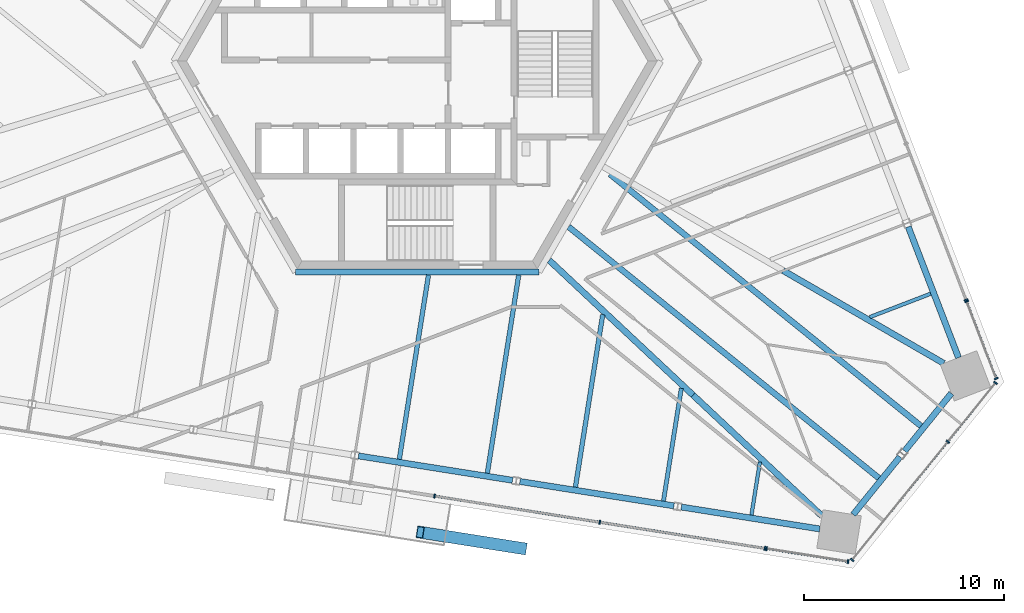
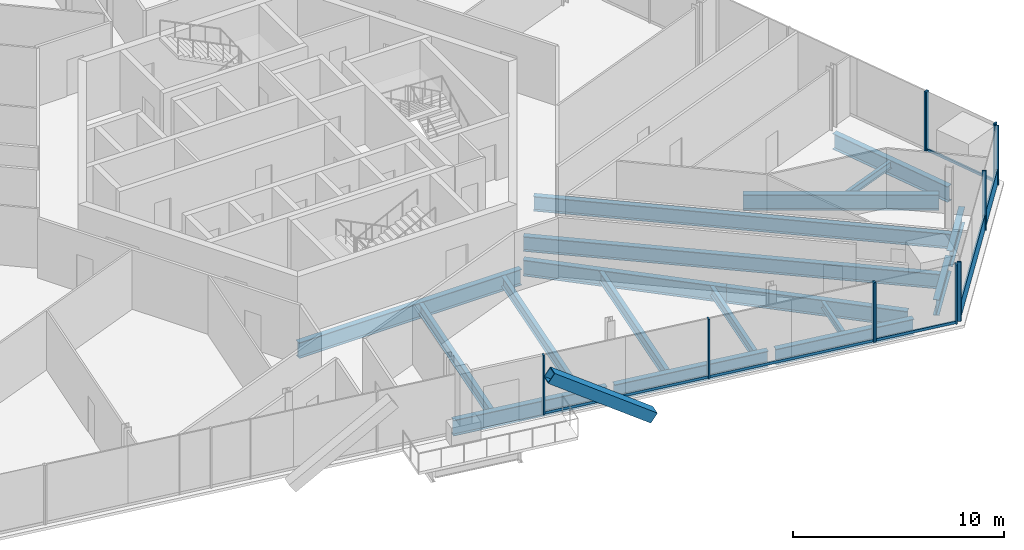
# One storey, part 6 of 19: 18 beams, 18 members, 5 elements without a shape of their own.
"""IFC4 building model written with IfcOpenShell, lengths in metres."""

from ifc_helpers import new_model, si_unit, direction, frame, origin, origin_2d, place, context, subcontext, project, spatial, rectangle, hollow_rectangle, i_section, extrude, source, transform, mapped, material, material_profile, profile_set, type_object, element, aggregate, save


model = new_model("IFC4")

# Units and contexts
model_context = context("Model", 3, precision=1e-05, world=origin(), true_north=direction((0.0, 1.0)))
body_context = subcontext(model_context, "Body", "Model", "MODEL_VIEW")
ifc_project = project(units=[si_unit("LENGTHUNIT", "METRE"), si_unit("AREAUNIT", "SQUARE_METRE"), si_unit("VOLUMEUNIT", "CUBIC_METRE"), si_unit("PLANEANGLEUNIT", "RADIAN"), si_unit("MASSUNIT", "GRAM", prefix="KILO")], contexts=[model_context])

# Site, building, storey
site_placement = place(None, origin())
site = spatial("IfcSite", under=ifc_project, at=site_placement, CompositionType="ELEMENT")
building_placement = place(site_placement, origin())
building = spatial("IfcBuilding", under=site, at=building_placement, Name="Triune Harvest Tower", CompositionType="ELEMENT")
storey_placement = place(building_placement, frame((0.0, 0.0, 149.699951171875)))
storey = spatial("IfcBuildingStorey", under=building, at=storey_placement, Name="L38", CompositionType="ELEMENT", Elevation=149.699951171875)

# Curtain wall, member
ifc_material_1 = material(Name="Aluminium bronze anodised", Category="aluminium")
curtain_wall_type_1 = type_object("IfcCurtainWallType", Name="CW-6 Balcony window wall", PredefinedType="NOTDEFINED", material=ifc_material_1)
curtain_wall_1_placement = place(storey_placement, origin())
curtain_wall_1 = element("IfcCurtainWall", 1, at=curtain_wall_1_placement, inside=storey, type_object=curtain_wall_type_1, Name="CW-6 B4-F1 L38 run 1")
ifc_material_2 = material(Name="Aluminium bronze anodised", Category="aluminium")
ifc_material_profile_1 = material_profile(ifc_material_2, rectangle(XDim=0.090087890625, YDim=0.14990234375, at=origin_2d()), Name="TR-6 transom 90 x 150")
ifc_profile_set_1 = profile_set([ifc_material_profile_1], Name="Aluminium bronze anodised")
member_type_1 = type_object("IfcMemberType", Name="TR-6 transom 90 x 150", PredefinedType="USERDEFINED", material=ifc_profile_set_1)
member_1_placement = place(storey_placement, frame((28.94970703125, -15.839111328125, 0.074951171875), z_axis=(-0.358382052033, 0.933575012937, 0.0), x_axis=(-0.933575012937, -0.358382052033, 0.0)))
member_1 = element("IfcMember", 2, at=member_1_placement, type_object=member_type_1, Name="CW-6 transom B4-F1 1.1", ObjectType="TRANSOM", PredefinedType="USERDEFINED", context=body_context, shape_type="SweptSolid", body=[
    extrude(rectangle(XDim=0.090087890625, YDim=0.14990234375, at=origin_2d()), origin(), (0.0, 0.0, 1.0), 4.05615234375),
])

curtain_wall_2_placement = place(storey_placement, origin())
curtain_wall_2 = element("IfcCurtainWall", 3, at=curtain_wall_2_placement, inside=storey, type_object=curtain_wall_type_1, Name="CW-6 B4-F5 L38 run 1002")
member_2_placement = place(storey_placement, frame((17.5087890625, -24.389892578125, 0.074951171875), z_axis=(0.987688616713, -0.156432721693, 0.0), x_axis=(0.156432721693, 0.987688616713, 0.0)))
member_2 = element("IfcMember", 4, at=member_2_placement, type_object=member_type_1, Name="CW-6 transom B4-F5 1002.1", ObjectType="TRANSOM", PredefinedType="USERDEFINED", context=body_context, shape_type="SweptSolid", body=[
    extrude(rectangle(XDim=0.090087890625, YDim=0.14990234375, at=origin_2d()), origin(), (0.0, 0.0, 1.0), 4.052978515625),
])

# Beams
ifc_material_3 = material(Name="Steel ASTM A992 Gr 50", Category="steel")
ifc_material_profile_2 = material_profile(ifc_material_3, i_section(OverallWidth=0.3046875, OverallDepth=0.914306640625, WebThickness=0.0166015625, FlangeThickness=0.02587890625, at=origin_2d()), Name="W36x160")
ifc_profile_set_2 = profile_set([ifc_material_profile_2], Name="Steel ASTM A992 Gr 50")
beam_type_1 = type_object("IfcBeamType", Name="CG-1 Core ring girder W36x160", PredefinedType="BEAM", material=ifc_profile_set_2)
shared_shape_1 = source(origin(), body_context, "Body", "SweptSolid", [
    extrude(i_section(OverallWidth=0.3046875, OverallDepth=0.914306640625, WebThickness=0.0166015625, FlangeThickness=0.02587890625, at=origin_2d()), origin(), (0.0, 0.0, 1.0), 12.17578125),
])
beam_1_placement = place(storey_placement, frame((-6.087890625, -10.544677734375, -0.6171875), z_axis=(1.0, 0.0, 0.0), x_axis=(0.0, 1.0, 0.0)))
element("IfcBeam", 5, at=beam_1_placement, inside=storey, type_object=beam_type_1, Name="beam/L38/CG5", PredefinedType="BEAM", context=body_context, shape_type="MappedRepresentation", body=[
    mapped(shared_shape_1, transform((0.0, 0.0, 0.0), scale=1.0)),
])
ifc_material_4 = material(Name="Steel ASTM A992 Gr 50", Category="steel")
ifc_material_profile_3 = material_profile(ifc_material_4, i_section(OverallWidth=0.307373046875, OverallDepth=0.922119140625, WebThickness=0.018310546875, FlangeThickness=0.030029296875, at=origin_2d()), Name="W36x182")
ifc_profile_set_3 = profile_set([ifc_material_profile_3], Name="Steel ASTM A992 Gr 50")
beam_type_2 = type_object("IfcBeamType", Name="HG-2 Hip girder W36x182", PredefinedType="BEAM", material=ifc_profile_set_3)
shared_shape_2 = source(origin(), body_context, "Body", "SweptSolid", [
    extrude(i_section(OverallWidth=0.307373046875, OverallDepth=0.922119140625, WebThickness=0.018310546875, FlangeThickness=0.030029296875, at=origin_2d()), origin(), (0.0, 0.0, 1.0), 9.85888671875),
])
beam_2_placement = place(storey_placement, frame((13.794189453125, -16.702392578125, -0.620849609375), z_axis=(-0.729486233367, 0.683995493646, 0.0), x_axis=(-0.683995493646, -0.729486233367, 0.0)))
element("IfcBeam", 6, at=beam_2_placement, inside=storey, type_object=beam_type_2, Name="beam/L38/HG8", PredefinedType="BEAM", context=body_context, shape_type="MappedRepresentation", body=[
    mapped(shared_shape_2, transform((0.0, 0.0, 0.0), scale=1.0)),
])
ifc_material_5 = material(Name="Steel ASTM A992 Gr 50", Category="steel")
ifc_material_profile_4 = material_profile(ifc_material_5, i_section(OverallWidth=0.3046875, OverallDepth=0.914306640625, WebThickness=0.0166015625, FlangeThickness=0.02587890625, at=origin_2d()), Name="W36x160")
ifc_profile_set_4 = profile_set([ifc_material_profile_4], Name="Steel ASTM A992 Gr 50")
beam_type_3 = type_object("IfcBeamType", Name="SB-1 Spandrel beam W36x160", PredefinedType="SPANDREL", material=ifc_profile_set_4)
shared_shape_3 = source(origin(), body_context, "Body", "SweptSolid", [
    extrude(i_section(OverallWidth=0.3046875, OverallDepth=0.914306640625, WebThickness=0.0166015625, FlangeThickness=0.02587890625, at=origin_2d()), origin(), (0.0, 0.0, 1.0), 7.013427734375),
])
for number, where, z_axis, x_axis, name in (
    (7, (27.07568359375, -14.832275390625, -0.6171875), (-0.358372513984, 0.93357867436, 0.0), (-0.93357867436, -0.358372513984, 0.0), "beam/L38/SB1"),
    (8, (13.210205078125, -22.302978515625, -0.6171875), (0.987687489289, -0.156439839878, 0.0), (0.156439839878, 0.987687489289, 0.0), "beam/L38/SB22"),
):
    element("IfcBeam", number, at=place(storey_placement, frame(where, z_axis=z_axis, x_axis=x_axis)), inside=storey, type_object=beam_type_3, Name=name, PredefinedType="SPANDREL", context=body_context, shape_type="MappedRepresentation", body=[
        mapped(shared_shape_3, transform((0.0, 0.0, 0.0), scale=1.0)),
    ])
shared_shape_4 = source(origin(), body_context, "Body", "SweptSolid", [
    extrude(i_section(OverallWidth=0.3046875, OverallDepth=0.914306640625, WebThickness=0.0166015625, FlangeThickness=0.02587890625, at=origin_2d()), origin(), (0.0, 0.0, 1.0), 3.71240234375),
])
beam_3_placement = place(storey_placement, frame((21.808837890625, -22.677734375, -0.6171875), z_axis=(0.629351453127, 0.777120806855, 0.0), x_axis=(-0.777120806855, 0.629351453127, 0.0)))
element("IfcBeam", 9, at=beam_3_placement, inside=storey, type_object=beam_type_3, Name="beam/L38/SB23", PredefinedType="SPANDREL", context=body_context, shape_type="MappedRepresentation", body=[
    mapped(shared_shape_4, transform((0.0, 0.0, 0.0), scale=1.0)),
])
shared_shape_5 = source(origin(), body_context, "Body", "SweptSolid", [
    extrude(i_section(OverallWidth=0.3046875, OverallDepth=0.914306640625, WebThickness=0.0166015625, FlangeThickness=0.02587890625, at=origin_2d()), origin(), (0.0, 0.0, 1.0), 7.801513671875),
])
beam_4_placement = place(storey_placement, frame((5.135986328125, -21.024169921875, -0.6171875), z_axis=(0.98768800071, -0.156436610974, 0.0), x_axis=(0.156436610974, 0.98768800071, 0.0)))
element("IfcBeam", 10, at=beam_4_placement, inside=storey, type_object=beam_type_3, Name="beam/L38/SB21", PredefinedType="SPANDREL", context=body_context, shape_type="MappedRepresentation", body=[
    mapped(shared_shape_5, transform((0.0, 0.0, 0.0), scale=1.0)),
])
shared_shape_6 = source(origin(), body_context, "Body", "SweptSolid", [
    extrude(i_section(OverallWidth=0.3046875, OverallDepth=0.914306640625, WebThickness=0.0166015625, FlangeThickness=0.02587890625, at=origin_2d()), origin(), (0.0, 0.0, 1.0), 3.712646484375),
])
beam_5_placement = place(storey_placement, frame((24.380126953125, -19.50244140625, -0.6171875), z_axis=(0.629319290748, 0.777146852462, 0.0), x_axis=(-0.777146852462, 0.629319290748, 0.0)))
element("IfcBeam", 11, at=beam_5_placement, inside=storey, type_object=beam_type_3, Name="beam/L38/SB24", PredefinedType="SPANDREL", context=body_context, shape_type="MappedRepresentation", body=[
    mapped(shared_shape_6, transform((0.0, 0.0, 0.0), scale=1.0)),
])
shared_shape_7 = source(origin(), body_context, "Body", "SweptSolid", [
    extrude(i_section(OverallWidth=0.3046875, OverallDepth=0.914306640625, WebThickness=0.0166015625, FlangeThickness=0.02587890625, at=origin_2d()), origin(), (0.0, 0.0, 1.0), 7.80126953125),
])
beam_6_placement = place(storey_placement, frame((-2.938232421875, -19.745361328125, -0.6171875), z_axis=(0.987687234845, -0.15644144631, 0.0), x_axis=(0.15644144631, 0.987687234845, 0.0)))
element("IfcBeam", 12, at=beam_6_placement, inside=storey, type_object=beam_type_3, Name="beam/L38/SB20", PredefinedType="SPANDREL", context=body_context, shape_type="MappedRepresentation", body=[
    mapped(shared_shape_7, transform((0.0, 0.0, 0.0), scale=1.0)),
])
shared_shape_8 = source(origin(), body_context, "Body", "SweptSolid", [
    extrude(i_section(OverallWidth=0.307373046875, OverallDepth=0.922119140625, WebThickness=0.018310546875, FlangeThickness=0.030029296875, at=origin_2d()), origin(), (0.0, 0.0, 1.0), 9.28369140625),
])
beam_7_placement = place(storey_placement, frame((26.33837890625, -15.114990234375, -0.620849609375), z_axis=(-0.86602880926, 0.499994101496, 0.0), x_axis=(-0.499994101496, -0.86602880926, 0.0)))
element("IfcBeam", 13, at=beam_7_placement, inside=storey, type_object=beam_type_2, Name="beam/L38/HG1", PredefinedType="BEAM", context=body_context, shape_type="MappedRepresentation", body=[
    mapped(shared_shape_8, transform((0.0, 0.0, 0.0), scale=1.0)),
])
shared_shape_9 = source(origin(), body_context, "Body", "SweptSolid", [
    extrude(i_section(OverallWidth=0.307373046875, OverallDepth=0.922119140625, WebThickness=0.018310546875, FlangeThickness=0.030029296875, at=origin_2d()), origin(), (0.0, 0.0, 1.0), 8.8369140625),
])
beam_8_placement = place(storey_placement, frame((20.24072265625, -22.746826171875, -0.620849609375), z_axis=(-0.729491540387, 0.683989833626, 0.0), x_axis=(-0.683989833626, -0.729491540387, 0.0)))
element("IfcBeam", 14, at=beam_8_placement, inside=storey, type_object=beam_type_2, Name="beam/L38/HG7", PredefinedType="BEAM", context=body_context, shape_type="MappedRepresentation", body=[
    mapped(shared_shape_9, transform((0.0, 0.0, 0.0), scale=1.0)),
])
ifc_material_6 = material(Name="Steel ASTM A992 Gr 50", Category="steel")
ifc_material_profile_5 = material_profile(ifc_material_6, i_section(OverallWidth=0.180908203125, OverallDepth=0.41650390625, WebThickness=0.010986328125, FlangeThickness=0.01806640625, at=origin_2d()), Name="W16x57")
ifc_profile_set_5 = profile_set([ifc_material_profile_5], Name="Steel ASTM A992 Gr 50")
beam_type_4 = type_object("IfcBeamType", Name="JT-1 Floor joist W16x57", PredefinedType="JOIST", material=ifc_profile_set_5)
shared_shape_10 = source(origin(), body_context, "Body", "SweptSolid", [
    extrude(i_section(OverallWidth=0.180908203125, OverallDepth=0.41650390625, WebThickness=0.010986328125, FlangeThickness=0.01806640625, at=origin_2d()), origin(), (0.0, 0.0, 1.0), 3.260986328125),
])
beam_9_placement = place(storey_placement, frame((25.684814453125, -11.634033203125, -0.3681640625), z_axis=(-0.933600075775, -0.35831675723, 0.0), x_axis=(0.35831675723, -0.933600075775, 0.0)))
element("IfcBeam", 15, at=beam_9_placement, inside=storey, type_object=beam_type_4, Name="beam/L38/JT1", PredefinedType="JOIST", context=body_context, shape_type="MappedRepresentation", body=[
    mapped(shared_shape_10, transform((0.0, 0.0, 0.0), scale=1.0)),
])
ifc_material_7 = material(Name="Steel ASTM A992 Gr 50", Category="steel")
ifc_material_profile_6 = material_profile(ifc_material_7, i_section(OverallWidth=0.2919921875, OverallDepth=0.8583984375, WebThickness=0.01708984375, FlangeThickness=0.031005859375, at=origin_2d()), Name="W33x169")
ifc_profile_set_6 = profile_set([ifc_material_profile_6], Name="Steel ASTM A992 Gr 50")
beam_type_5 = type_object("IfcBeamType", Name="JT-7 Floor joist W33x169", PredefinedType="JOIST", material=ifc_profile_set_6)
shared_shape_11 = source(origin(), body_context, "Body", "SweptSolid", [
    extrude(i_section(OverallWidth=0.2919921875, OverallDepth=0.8583984375, WebThickness=0.01708984375, FlangeThickness=0.031005859375, at=origin_2d()), origin(), (0.0, 0.0, 1.0), 19.97216796875),
])
beam_10_placement = place(storey_placement, frame((23.090087890625, -20.853515625, -0.58935546875), z_axis=(-0.777140102023, 0.629327626779, 0.0), x_axis=(-0.629327626779, -0.777140102023, 0.0)))
element("IfcBeam", 16, at=beam_10_placement, inside=storey, type_object=beam_type_5, Name="beam/L38/JT35", PredefinedType="JOIST", context=body_context, shape_type="MappedRepresentation", body=[
    mapped(shared_shape_11, transform((0.0, 0.0, 0.0), scale=1.0)),
])
shared_shape_12 = source(origin(), body_context, "Body", "SweptSolid", [
    extrude(i_section(OverallWidth=0.2919921875, OverallDepth=0.8583984375, WebThickness=0.01708984375, FlangeThickness=0.031005859375, at=origin_2d()), origin(), (0.0, 0.0, 1.0), 20.01611328125),
])
beam_11_placement = place(storey_placement, frame((25.198486328125, -18.25, -0.58935546875), z_axis=(-0.777142320664, 0.629324887028, 0.0), x_axis=(-0.629324887028, -0.777142320664, 0.0)))
element("IfcBeam", 17, at=beam_11_placement, inside=storey, type_object=beam_type_5, Name="beam/L38/JT36", PredefinedType="JOIST", context=body_context, shape_type="MappedRepresentation", body=[
    mapped(shared_shape_12, transform((0.0, 0.0, 0.0), scale=1.0)),
])
ifc_material_8 = material(Name="Steel ASTM A992 Gr 50", Category="steel")
ifc_material_profile_7 = material_profile(ifc_material_8, i_section(OverallWidth=0.22900390625, OverallDepth=0.612060546875, WebThickness=0.011962890625, FlangeThickness=0.01953125, at=origin_2d()), Name="W24x84")
ifc_profile_set_7 = profile_set([ifc_material_profile_7], Name="Steel ASTM A992 Gr 50")
beam_type_6 = type_object("IfcBeamType", Name="JT-3 Floor joist W24x84", PredefinedType="JOIST", material=ifc_profile_set_7)
shared_shape_13 = source(origin(), body_context, "Body", "SweptSolid", [
    extrude(i_section(OverallWidth=0.22900390625, OverallDepth=0.612060546875, WebThickness=0.011962890625, FlangeThickness=0.01953125, at=origin_2d()), origin(), (0.0, 0.0, 1.0), 9.332275390625),
])
beam_12_placement = place(storey_placement, frame((-0.896728515625, -19.914306640625, -0.466064453125), z_axis=(0.156417974358, 0.987690952321, 0.0), x_axis=(-0.987690952321, 0.156417974358, 0.0)))
element("IfcBeam", 18, at=beam_12_placement, inside=storey, type_object=beam_type_6, Name="beam/L38/JT30", PredefinedType="JOIST", context=body_context, shape_type="MappedRepresentation", body=[
    mapped(shared_shape_13, transform((0.0, 0.0, 0.0), scale=1.0)),
])
shared_shape_14 = source(origin(), body_context, "Body", "SweptSolid", [
    extrude(i_section(OverallWidth=0.22900390625, OverallDepth=0.612060546875, WebThickness=0.011962890625, FlangeThickness=0.01953125, at=origin_2d()), origin(), (0.0, 0.0, 1.0), 10.03857421875),
])
beam_13_placement = place(storey_placement, frame((3.50732421875, -20.612060546875, -0.466064453125), z_axis=(0.156427136615, 0.987689501276, 0.0), x_axis=(-0.987689501276, 0.156427136615, 0.0)))
element("IfcBeam", 19, at=beam_13_placement, inside=storey, type_object=beam_type_6, Name="beam/L38/JT31", PredefinedType="JOIST", context=body_context, shape_type="MappedRepresentation", body=[
    mapped(shared_shape_14, transform((0.0, 0.0, 0.0), scale=1.0)),
])
shared_shape_15 = source(origin(), body_context, "Body", "SweptSolid", [
    extrude(i_section(OverallWidth=0.22900390625, OverallDepth=0.612060546875, WebThickness=0.011962890625, FlangeThickness=0.01953125, at=origin_2d()), origin(), (0.0, 0.0, 1.0), 8.73828125),
])
beam_14_placement = place(storey_placement, frame((7.91162109375, -21.3095703125, -0.466064453125), z_axis=(0.156433147227, 0.987688549315, 0.0), x_axis=(-0.987688549315, 0.156433147227, 0.0)))
element("IfcBeam", 20, at=beam_14_placement, inside=storey, type_object=beam_type_6, Name="beam/L38/JT32", PredefinedType="JOIST", context=body_context, shape_type="MappedRepresentation", body=[
    mapped(shared_shape_15, transform((0.0, 0.0, 0.0), scale=1.0)),
])
ifc_material_9 = material(Name="Steel ASTM A992 Gr 50", Category="steel")
ifc_material_profile_8 = material_profile(ifc_material_9, i_section(OverallWidth=0.2099609375, OverallDepth=0.535888671875, WebThickness=0.010986328125, FlangeThickness=0.017333984375, at=origin_2d()), Name="W21x68")
ifc_profile_set_8 = profile_set([ifc_material_profile_8], Name="Steel ASTM A992 Gr 50")
beam_type_7 = type_object("IfcBeamType", Name="JT-2 Floor joist W21x68", PredefinedType="JOIST", material=ifc_profile_set_8)
shared_shape_16 = source(origin(), body_context, "Body", "SweptSolid", [
    extrude(i_section(OverallWidth=0.2099609375, OverallDepth=0.535888671875, WebThickness=0.010986328125, FlangeThickness=0.017333984375, at=origin_2d()), origin(), (0.0, 0.0, 1.0), 5.712646484375),
])
beam_15_placement = place(storey_placement, frame((12.315673828125, -22.007080078125, -0.427978515625), z_axis=(0.156458528862, 0.98768452896, 0.0), x_axis=(-0.98768452896, 0.156458528862, 0.0)))
element("IfcBeam", 21, at=beam_15_placement, inside=storey, type_object=beam_type_7, Name="beam/L38/JT33", PredefinedType="JOIST", context=body_context, shape_type="MappedRepresentation", body=[
    mapped(shared_shape_16, transform((0.0, 0.0, 0.0), scale=1.0)),
])
shared_shape_17 = source(origin(), body_context, "Body", "SweptSolid", [
    extrude(i_section(OverallWidth=0.180908203125, OverallDepth=0.41650390625, WebThickness=0.010986328125, FlangeThickness=0.01806640625, at=origin_2d()), origin(), (0.0, 0.0, 1.0), 2.6875),
])
beam_16_placement = place(storey_placement, frame((16.719970703125, -22.70458984375, -0.3681640625), z_axis=(0.156438396813, 0.987687717856, 0.0), x_axis=(-0.987687717856, 0.156438396813, 0.0)))
element("IfcBeam", 22, at=beam_16_placement, inside=storey, type_object=beam_type_4, Name="beam/L38/JT34", PredefinedType="JOIST", context=body_context, shape_type="MappedRepresentation", body=[
    mapped(shared_shape_17, transform((0.0, 0.0, 0.0), scale=1.0)),
])

# Member
ifc_material_10 = material(Name="Steel ASTM A572 Gr 50", Category="steel")
ifc_material_profile_9 = material_profile(ifc_material_10, hollow_rectangle(XDim=0.60009765625, YDim=0.60009765625, WallThickness=0.0400390625, at=origin_2d()), Name="Box 600x600x40")
ifc_profile_set_9 = profile_set([ifc_material_profile_9], Name="Steel ASTM A572 Gr 50")
member_type_2 = type_object("IfcMemberType", Name="BR-2 Brace Box 600x600x40", PredefinedType="BRACE", material=ifc_profile_set_9)
shared_shape_18 = source(origin(), body_context, "Body", "SweptSolid", [
    extrude(hollow_rectangle(XDim=0.60009765625, YDim=0.60009765625, WallThickness=0.0400390625, at=origin_2d()), origin(), (0.0, 0.0, 1.0), 6.3291015625),
])
member_3_placement = place(storey_placement, frame((5.289794921875, -24.37841796875, 0.0), z_axis=(-0.812335384172, 0.128683738145, 0.568816067952), x_axis=(-0.156461096524, -0.987684122214, 0.0)))
element("IfcMember", 23, at=member_3_placement, inside=storey, type_object=member_type_2, Name="brace/B4-F5/d2/4", PredefinedType="BRACE", context=body_context, shape_type="MappedRepresentation", body=[
    mapped(shared_shape_18, transform((0.0, 0.0, 0.0), scale=1.0)),
])

# Curtain wall, members
ifc_material_11 = material(Name="Aluminium bronze anodised", Category="aluminium")
curtain_wall_type_2 = type_object("IfcCurtainWallType", Name="CW-1 Tower stick curtain wall", PredefinedType="NOTDEFINED", material=ifc_material_11)
curtain_wall_3_placement = place(storey_placement, origin())
curtain_wall_3 = element("IfcCurtainWall", 24, at=curtain_wall_3_placement, inside=storey, type_object=curtain_wall_type_2, Name="CW-1 B4-F6 L38 run 1")
ifc_material_12 = material(Name="Aluminium bronze anodised", Category="aluminium")
ifc_material_profile_10 = material_profile(ifc_material_12, rectangle(XDim=0.199951171875, YDim=0.074951171875, at=origin_2d()), Name="MU-1 mullion 75 x 200")
ifc_profile_set_10 = profile_set([ifc_material_profile_10], Name="Aluminium bronze anodised")
member_type_3 = type_object("IfcMemberType", Name="MU-1 mullion 75 x 200", PredefinedType="MULLION", material=ifc_profile_set_10)
shared_shape_19 = source(origin(), body_context, "Body", "SweptSolid", [
    extrude(rectangle(XDim=0.199951171875, YDim=0.074951171875, at=origin_2d()), origin(), (0.0, 0.0, 1.0), 3.43994140625),
])
member_4_placement = place(storey_placement, frame((21.755126953125, -24.95068359375, 0.0), z_axis=(0.0, 0.0, 1.0), x_axis=(-0.777145544932, 0.629320905414, 0.0)))
member_4 = element("IfcMember", 25, at=member_4_placement, type_object=member_type_3, Name="CW-1 mullion B4-F6 1.1", PredefinedType="MULLION", context=body_context, shape_type="MappedRepresentation", body=[
    mapped(shared_shape_19, transform((0.0, 0.0, 0.0), scale=1.0)),
])
member_5_placement = place(storey_placement, frame((26.54541015625, -19.035400390625, 0.0), z_axis=(0.0, 0.0, 1.0), x_axis=(-0.777145544932, 0.629320905414, 0.0)))
member_5 = element("IfcMember", 26, at=member_5_placement, type_object=member_type_3, Name="CW-1 mullion B4-F6 1.3", PredefinedType="MULLION", context=body_context, shape_type="MappedRepresentation", body=[
    mapped(shared_shape_19, transform((0.0, 0.0, 0.0), scale=1.0)),
])
member_6_placement = place(storey_placement, frame((28.9287109375, -16.09228515625, 0.0), z_axis=(0.0, 0.0, 1.0), x_axis=(-0.777145544932, 0.629320905414, 0.0)))
member_6 = element("IfcMember", 27, at=member_6_placement, type_object=member_type_3, Name="CW-1 mullion B4-F6 1.4", PredefinedType="MULLION", context=body_context, shape_type="MappedRepresentation", body=[
    mapped(shared_shape_19, transform((0.0, 0.0, 0.0), scale=1.0)),
])

# Member
ifc_material_13 = material(Name="Aluminium bronze anodised", Category="aluminium")
ifc_material_profile_11 = material_profile(ifc_material_13, rectangle(XDim=0.199951171875, YDim=0.074951171875, at=origin_2d()), Name="MU-6 mullion 75 x 200")
ifc_profile_set_11 = profile_set([ifc_material_profile_11], Name="Aluminium bronze anodised")
member_type_4 = type_object("IfcMemberType", Name="MU-6 mullion 75 x 200", PredefinedType="MULLION", material=ifc_profile_set_11)
shared_shape_20 = source(origin(), body_context, "Body", "SweptSolid", [
    extrude(rectangle(XDim=0.199951171875, YDim=0.074951171875, at=origin_2d()), origin(), (0.0, 0.0, 1.0), 3.43994140625),
])
member_7_placement = place(storey_placement, frame((28.963134765625, -15.874267578125, 0.0), z_axis=(0.0, 0.0, 1.0), x_axis=(-0.933580586242, -0.358367533395, 0.0)))
member_7 = element("IfcMember", 28, at=member_7_placement, type_object=member_type_4, Name="CW-6 mullion B4-F1 1.1", PredefinedType="MULLION", context=body_context, shape_type="MappedRepresentation", body=[
    mapped(shared_shape_20, transform((0.0, 0.0, 0.0), scale=1.0)),
])

member_8_placement = place(storey_placement, frame((27.482666015625, -12.017333984375, 0.0), z_axis=(0.0, 0.0, 1.0), x_axis=(-0.933580586242, -0.358367533395, 0.0)))
member_8 = element("IfcMember", 29, at=member_8_placement, type_object=member_type_4, Name="CW-6 mullion B4-F1 1.2", PredefinedType="MULLION", context=body_context, shape_type="MappedRepresentation", body=[
    mapped(shared_shape_20, transform((0.0, 0.0, 0.0), scale=1.0)),
])

aggregate(curtain_wall_1, [member_7, member_8, member_1])

# Curtain wall, member
ifc_material_14 = material(Name="Aluminium bronze anodised", Category="aluminium")
curtain_wall_type_3 = type_object("IfcCurtainWallType", Name="CW-10 Balcony window wall with insulated spandrel infill", PredefinedType="NOTDEFINED", material=ifc_material_14)
curtain_wall_4_placement = place(storey_placement, origin())
curtain_wall_4 = element("IfcCurtainWall", 30, at=curtain_wall_4_placement, inside=storey, type_object=curtain_wall_type_3, Name="CW-10 B4-F1 L38 run 1001")
member_9_placement = place(storey_placement, frame((27.455810546875, -11.947509765625, 0.0), z_axis=(0.0, 0.0, 1.0), x_axis=(-0.933579785245, -0.35836962006, 0.0)))
member_9 = element("IfcMember", 31, at=member_9_placement, type_object=member_type_4, Name="CW-10 mullion B4-F1 1001.1", PredefinedType="MULLION", context=body_context, shape_type="MappedRepresentation", body=[
    mapped(shared_shape_20, transform((0.0, 0.0, 0.0), scale=1.0)),
])
aggregate(curtain_wall_4, [member_9])

# Curtain wall, members
curtain_wall_5_placement = place(storey_placement, origin())
curtain_wall_5 = element("IfcCurtainWall", 32, at=curtain_wall_5_placement, inside=storey, type_object=curtain_wall_type_3, Name="CW-10 B4-F5 L38 run 2")
member_10_placement = place(storey_placement, frame((0.8662109375, -21.75390625, 0.0), z_axis=(0.0, 0.0, 1.0), x_axis=(0.15643496192, 0.987688261897, 0.0)))
member_10 = element("IfcMember", 33, at=member_10_placement, type_object=member_type_4, Name="CW-10 mullion B4-F5 2.1", PredefinedType="MULLION", context=body_context, shape_type="MappedRepresentation", body=[
    mapped(shared_shape_20, transform((0.0, 0.0, 0.0), scale=1.0)),
])
member_11_placement = place(storey_placement, frame((9.1318359375, -23.063232421875, 0.0), z_axis=(0.0, 0.0, 1.0), x_axis=(0.15643496192, 0.987688261897, 0.0)))
member_11 = element("IfcMember", 34, at=member_11_placement, type_object=member_type_4, Name="CW-10 mullion B4-F5 2.3", PredefinedType="MULLION", context=body_context, shape_type="MappedRepresentation", body=[
    mapped(shared_shape_20, transform((0.0, 0.0, 0.0), scale=1.0)),
])
member_12_placement = place(storey_placement, frame((17.397705078125, -24.372314453125, 0.0), z_axis=(0.0, 0.0, 1.0), x_axis=(0.15643496192, 0.987688261897, 0.0)))
member_12 = element("IfcMember", 35, at=member_12_placement, type_object=member_type_4, Name="CW-10 mullion B4-F5 2.5", PredefinedType="MULLION", context=body_context, shape_type="MappedRepresentation", body=[
    mapped(shared_shape_20, transform((0.0, 0.0, 0.0), scale=1.0)),
])

# Member
member_13_placement = place(storey_placement, frame((17.4716796875, -24.384033203125, 0.0), z_axis=(0.0, 0.0, 1.0), x_axis=(0.156435024547, 0.987688251978, 0.0)))
member_13 = element("IfcMember", 36, at=member_13_placement, type_object=member_type_4, Name="CW-6 mullion B4-F5 1002.1", PredefinedType="MULLION", context=body_context, shape_type="MappedRepresentation", body=[
    mapped(shared_shape_20, transform((0.0, 0.0, 0.0), scale=1.0)),
])

member_14_placement = place(storey_placement, frame((21.549072265625, -25.02978515625, 0.0), z_axis=(0.0, 0.0, 1.0), x_axis=(0.156435024547, 0.987688251978, 0.0)))
member_14 = element("IfcMember", 37, at=member_14_placement, type_object=member_type_4, Name="CW-6 mullion B4-F5 1002.2", PredefinedType="MULLION", context=body_context, shape_type="MappedRepresentation", body=[
    mapped(shared_shape_20, transform((0.0, 0.0, 0.0), scale=1.0)),
])

aggregate(curtain_wall_2, [member_13, member_14, member_2])

ifc_material_15 = material(Name="Aluminium bronze anodised", Category="aluminium")
ifc_material_profile_12 = material_profile(ifc_material_15, rectangle(XDim=0.090087890625, YDim=0.89990234375, at=origin_2d()), Name="TR-1 transom 90 x 900")
ifc_profile_set_12 = profile_set([ifc_material_profile_12], Name="Aluminium bronze anodised")
member_type_5 = type_object("IfcMemberType", Name="TR-1 transom 90 x 900", PredefinedType="USERDEFINED", material=ifc_profile_set_12)
shared_shape_21 = source(origin(), body_context, "Body", "SweptSolid", [
    extrude(rectangle(XDim=0.090087890625, YDim=0.89990234375, at=origin_2d()), origin(), (0.0, 0.0, 1.0), 7.53662109375),
])
member_15_placement = place(storey_placement, frame((21.77880859375, -24.921630859375, 0.449951171875), z_axis=(0.629310046563, 0.777154338143, 0.0), x_axis=(-0.777154338143, 0.629310046563, 0.0)))
member_15 = element("IfcMember", 38, at=member_15_placement, type_object=member_type_5, Name="CW-1 transom B4-F6 1.1", ObjectType="TRANSOM", PredefinedType="USERDEFINED", context=body_context, shape_type="MappedRepresentation", body=[
    mapped(shared_shape_21, transform((0.0, 0.0, 0.0), scale=1.0)),
])

shared_shape_22 = source(origin(), body_context, "Body", "SweptSolid", [
    extrude(rectangle(XDim=0.090087890625, YDim=0.89990234375, at=origin_2d()), origin(), (0.0, 0.0, 1.0), 3.712158203125),
])
member_16_placement = place(storey_placement, frame((26.569091796875, -19.00634765625, 0.449951171875), z_axis=(0.629272012567, 0.777185135087, 0.0), x_axis=(-0.777185135087, 0.629272012567, 0.0)))
member_16 = element("IfcMember", 39, at=member_16_placement, type_object=member_type_5, Name="CW-1 transom B4-F6 1.2", ObjectType="TRANSOM", PredefinedType="USERDEFINED", context=body_context, shape_type="MappedRepresentation", body=[
    mapped(shared_shape_22, transform((0.0, 0.0, 0.0), scale=1.0)),
])

aggregate(curtain_wall_3, [member_4, member_5, member_6, member_15, member_16])

shared_shape_23 = source(origin(), body_context, "Body", "SweptSolid", [
    extrude(rectangle(XDim=0.090087890625, YDim=0.14990234375, at=origin_2d()), origin(), (0.0, 0.0, 1.0), 8.293701171875),
])
member_17_placement = place(storey_placement, frame((0.9033203125, -21.759765625, 0.074951171875), z_axis=(0.987685034408, -0.156455338059, 0.0), x_axis=(0.156455338059, 0.987685034408, 0.0)))
member_17 = element("IfcMember", 40, at=member_17_placement, type_object=member_type_1, Name="CW-10 transom B4-F5 2.1", ObjectType="TRANSOM", PredefinedType="USERDEFINED", context=body_context, shape_type="MappedRepresentation", body=[
    mapped(shared_shape_23, transform((0.0, 0.0, 0.0), scale=1.0)),
])

member_18_placement = place(storey_placement, frame((9.1689453125, -23.069091796875, 0.074951171875), z_axis=(0.987689582802, -0.156426621852, 0.0), x_axis=(0.156426621852, 0.987689582802, 0.0)))
member_18 = element("IfcMember", 41, at=member_18_placement, type_object=member_type_1, Name="CW-10 transom B4-F5 2.2", ObjectType="TRANSOM", PredefinedType="USERDEFINED", context=body_context, shape_type="MappedRepresentation", body=[
    mapped(shared_shape_23, transform((0.0, 0.0, 0.0), scale=1.0)),
])

aggregate(curtain_wall_5, [member_10, member_11, member_12, member_17, member_18])

save(model, "model.ifc")
